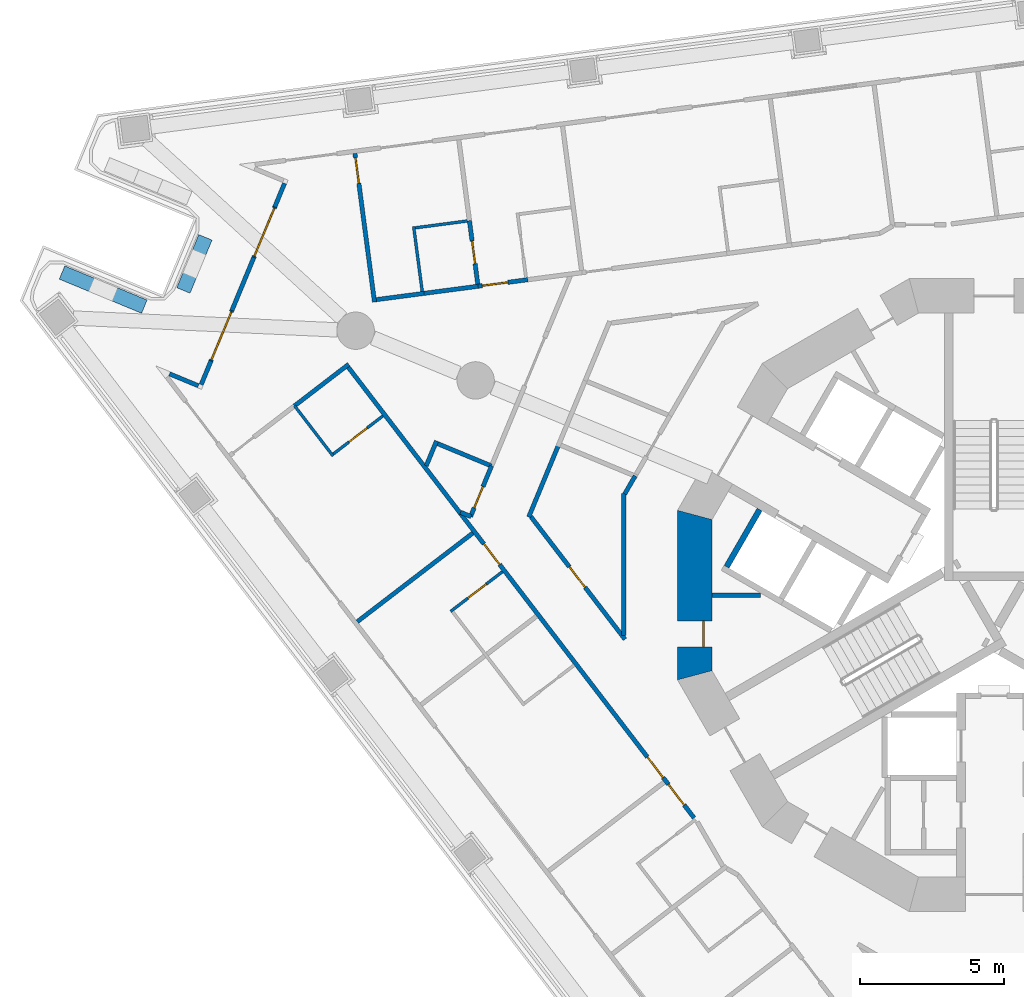
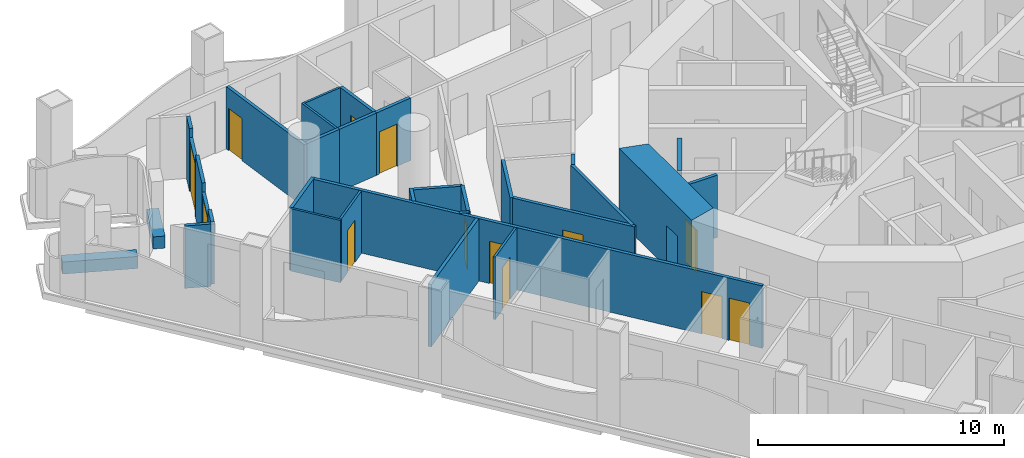
# One storey, part 6 of 19: 32 walls, 13 doors, 13 openings.
"""IFC4 building model written with IfcOpenShell, lengths in metres."""

from ifc_helpers import new_model, si_unit, direction, frame, frame_2d, origin, place, context, subcontext, project, spatial, polyline, rectangle, outline, extrude, material, layer, layer_set, type_object, element, fill, save


model = new_model("IFC4")

# Units and contexts
model_context = context("Model", 3, precision=1e-05, world=origin(), true_north=direction((0.0, 1.0)))
body_context = subcontext(model_context, "Body", "Model", "MODEL_VIEW")
ifc_project = project(units=[si_unit("LENGTHUNIT", "METRE"), si_unit("AREAUNIT", "SQUARE_METRE"), si_unit("VOLUMEUNIT", "CUBIC_METRE"), si_unit("PLANEANGLEUNIT", "RADIAN"), si_unit("MASSUNIT", "GRAM", prefix="KILO")], contexts=[model_context])

# Site, building, storey
site_placement = place(None, origin())
site = spatial("IfcSite", under=ifc_project, at=site_placement, CompositionType="ELEMENT")
building_placement = place(site_placement, origin())
building = spatial("IfcBuilding", under=site, at=building_placement, Name="Trine Commons Tower", CompositionType="ELEMENT")
storey_placement = place(building_placement, frame((0.0, 0.0, 79.199951171875)))
storey = spatial("IfcBuildingStorey", under=building, at=storey_placement, Name="L19", CompositionType="ELEMENT", Elevation=79.199951171875)

# Walls
ifc_material_1 = material(Name="Plasterboard partition on steel studs", Category="steel")
ifc_layer_1 = layer(ifc_material_1, 0.14990234375)
ifc_layer_set_1 = layer_set([ifc_layer_1], Name="Plasterboard partition on steel studs")
wall_type_1 = type_object("IfcWallType", Name="Core room partition 150 mm, EI 60", PredefinedType="PARTITIONING", material=ifc_layer_set_1)
wall_1_placement = place(storey_placement, frame((70.18798828125, 62.5, 0.0), z_axis=(0.0, 0.0, 1.0), x_axis=(1.0, 0.0, 0.0)))
element("IfcWall", 1, at=wall_1_placement, inside=storey, type_object=wall_type_1, Name="Core room partition L19", PredefinedType="PARTITIONING", context=body_context, shape_type="SweptSolid", body=[
    extrude(rectangle(XDim=1.68310546875, YDim=0.14990234375, at=frame_2d((0.841552734375, 0.0))), origin(), (0.0, 0.0, 1.0), 3.10009765625),
])
ifc_material_2 = material(Name="Aluminium-framed insulated wall panel", Category="aluminium")
ifc_layer_2 = layer(ifc_material_2, 0.14990234375)
ifc_layer_set_2 = layer_set([ifc_layer_2], Name="Aluminium-framed insulated wall panel")
wall_type_2 = type_object("IfcWallType", Name="Glazed frame wall 150, EI 60", PredefinedType="SOLIDWALL", material=ifc_layer_set_2)
wall_2_placement = place(storey_placement, frame((51.175537109375, 70.256103515625, 0.0), z_axis=(0.0, 0.0, 1.0), x_axis=(0.923901801611, -0.382629665579, 0.0)))
element("IfcWall", 2, at=wall_2_placement, inside=storey, type_object=wall_type_2, Name="Glazed frame wall R1", PredefinedType="SOLIDWALL", context=body_context, shape_type="SweptSolid", body=[
    extrude(outline(polyline([(0.1494140625, 0.074951171875), (0.1494140625, -0.074951171875), (1.235107421875, -0.074951171875), (1.235107421875, 0.074951171875), (0.1494140625, 0.074951171875)])), origin(), (0.0, 0.0, 1.0), 3.10009765625),
])
wall_3_placement = place(storey_placement, frame((52.372314453125, 69.722412109375, 0.0), z_axis=(0.0, 0.0, 1.0), x_axis=(0.382603377961, 0.923912688068, 0.0)))
element("IfcWall", 3, at=wall_3_placement, inside=storey, type_object=wall_type_2, Name="Glazed frame wall P1.1", PredefinedType="SOLIDWALL", context=body_context, shape_type="SweptSolid", body=[
    extrude(outline(polyline([(0.110107421875, -0.074951171875), (1.0, -0.074951171875), (1.0, 0.074951171875), (0.110107421875, 0.074951171875), (0.110107421875, -0.074951171875)])), origin(), (0.0, 0.0, 1.0), 3.10009765625),
])

# Wall, opening, door
wall_4_placement = place(storey_placement, frame((52.7548828125, 70.646240234375, 0.0), z_axis=(0.0, 0.0, 1.0), x_axis=(0.382771661121, 0.923842982028, 0.0)))
wall_4 = element("IfcWall", 4, at=wall_4_placement, inside=storey, type_object=wall_type_2, Name="Glazed frame wall P1.2", PredefinedType="SOLIDWALL", context=body_context, shape_type="SweptSolid", body=[
    extrude(outline(polyline([(0.0, -0.074951171875), (1.89990234375, -0.074951171875), (1.89990234375, 0.074951171875), (0.0, 0.074951171875), (0.0, -0.074951171875)])), origin(), (0.0, 0.0, 1.0), 2.650146484375),
])
opening_1_placement = place(wall_4_placement, frame((0.050048828125, 0.0, 0.0)))
opening_1 = element("IfcOpeningElement", 5, at=opening_1_placement, cuts=wall_4, Name="Opening BD-2P1-01", PredefinedType="OPENING", context=body_context, shape_type="SweptSolid", body=[
    extrude(rectangle(XDim=1.800048828125, YDim=2.60009765625, at=frame_2d((0.89990234375, 1.300048828125))), frame((0.0, 0.0849609375, 0.0), z_axis=(0.0, -1.0, 0.0), x_axis=(1.0, 0.0, 0.0)), (0.0, 0.0, 1.0), 0.169921875),
])
ifc_material_3 = material(Name="Anodised aluminium frame with double glazing", Category="aluminium")
door_type_1 = type_object("IfcDoorType", Name="Sliding loggia door 1800x2600", OperationType="SLIDING_TO_LEFT", PredefinedType="DOOR", material=ifc_material_3)
door_1_placement = place(opening_1_placement, origin())
door_1 = element("IfcDoor", 6, at=door_1_placement, inside=storey, type_object=door_type_1, Name="Loggia door P1 1", OperationType="SLIDING_TO_LEFT", OverallHeight=2.60009765625, OverallWidth=1.800048828125, PredefinedType="DOOR", context=body_context, shape_type="SweptSolid", body=[
    extrude(rectangle(XDim=1.800048828125, YDim=2.60009765625, at=frame_2d((0.89990234375, 1.300048828125))), frame((0.0, 0.02490234375, 0.0), z_axis=(0.0, -1.0, 0.0), x_axis=(1.0, 0.0, 0.0)), (0.0, 0.0, 1.0), 0.050048828125),
])
fill(opening_1, door_1)

# Wall
wall_5_placement = place(storey_placement, frame((53.482177734375, 72.401611328125, 0.0), z_axis=(0.0, 0.0, 1.0), x_axis=(0.382664423091, 0.923887406181, 0.0)))
element("IfcWall", 7, at=wall_5_placement, inside=storey, type_object=wall_type_2, Name="Glazed frame wall P1.3", PredefinedType="SOLIDWALL", context=body_context, shape_type="SweptSolid", body=[
    extrude(outline(polyline([(0.0, -0.074951171875), (2.0, -0.074951171875), (2.0, 0.074951171875), (0.0, 0.074951171875), (0.0, -0.074951171875)])), origin(), (0.0, 0.0, 1.0), 3.10009765625),
])

# Wall, opening, door
wall_6_placement = place(storey_placement, frame((54.24755859375, 74.24951171875, 0.0), z_axis=(0.0, 0.0, 1.0), x_axis=(0.382661988648, 0.923888414498, 0.0)))
wall_6 = element("IfcWall", 8, at=wall_6_placement, inside=storey, type_object=wall_type_2, Name="Glazed frame wall P1.4", PredefinedType="SOLIDWALL", context=body_context, shape_type="SweptSolid", body=[
    extrude(outline(polyline([(0.0, -0.074951171875), (1.89990234375, -0.074951171875), (1.89990234375, 0.074951171875), (0.0, 0.074951171875), (0.0, -0.074951171875)])), origin(), (0.0, 0.0, 1.0), 2.650146484375),
])
opening_2_placement = place(wall_6_placement, frame((0.050048828125, 0.0, 0.0)))
opening_2 = element("IfcOpeningElement", 9, at=opening_2_placement, cuts=wall_6, Name="Opening BD-2P1-02", PredefinedType="OPENING", context=body_context, shape_type="SweptSolid", body=[
    extrude(rectangle(XDim=1.800048828125, YDim=2.60009765625, at=frame_2d((0.89990234375, 1.300048828125))), frame((0.0, 0.0849609375, 0.0), z_axis=(0.0, -1.0, 0.0), x_axis=(1.0, 0.0, 0.0)), (0.0, 0.0, 1.0), 0.169921875),
])
door_2_placement = place(opening_2_placement, origin())
door_2 = element("IfcDoor", 10, at=door_2_placement, inside=storey, type_object=door_type_1, Name="Loggia door P1 2", OperationType="SLIDING_TO_LEFT", OverallHeight=2.60009765625, OverallWidth=1.800048828125, PredefinedType="DOOR", context=body_context, shape_type="SweptSolid", body=[
    extrude(rectangle(XDim=1.800048828125, YDim=2.60009765625, at=frame_2d((0.89990234375, 1.300048828125))), frame((0.0, 0.02490234375, 0.0), z_axis=(0.0, -1.0, 0.0), x_axis=(1.0, 0.0, 0.0)), (0.0, 0.0, 1.0), 0.050048828125),
])
fill(opening_2, door_2)

# Walls
wall_7_placement = place(storey_placement, frame((54.974609375, 76.0048828125, 0.0), z_axis=(0.0, 0.0, 1.0), x_axis=(0.382811769845, 0.923826362943, 0.0)))
element("IfcWall", 11, at=wall_7_placement, inside=storey, type_object=wall_type_2, Name="Glazed frame wall P1.5", PredefinedType="SOLIDWALL", context=body_context, shape_type="SweptSolid", body=[
    extrude(outline(polyline([(0.889892578125, 0.074951171875), (0.0, 0.074951171875), (0.0, -0.074951171875), (0.889892578125, -0.074951171875), (0.889892578125, 0.074951171875)])), origin(), (0.0, 0.0, 1.0), 3.10009765625),
])
ifc_material_4 = material(Name="Planter trough, precast concrete C40/50", Category="concrete")
ifc_layer_3 = layer(ifc_material_4, 0.5)
ifc_layer_set_3 = layer_set([ifc_layer_3], Name="Planter trough, precast concrete C40/50")
wall_type_3 = type_object("IfcWallType", Name="Planter trough 500x600", PredefinedType="PARAPET", material=ifc_layer_set_3)
wall_8_placement = place(storey_placement, frame((47.5732421875, 73.723388671875, 0.0), z_axis=(0.0, 0.0, 1.0), x_axis=(0.923883411188, -0.382674068277, 0.0)))
element("IfcWall", 12, at=wall_8_placement, inside=storey, type_object=wall_type_3, Name="Planter 1", PredefinedType="PARAPET", context=body_context, shape_type="SweptSolid", body=[
    extrude(rectangle(XDim=3.099853515625, YDim=0.5, at=frame_2d((1.5498046875, 0.0))), origin(), (0.0, 0.0, 1.0), 0.60009765625),
])
wall_9_placement = place(storey_placement, frame((51.796142578125, 73.10009765625, 0.0), z_axis=(0.0, 0.0, 1.0), x_axis=(0.382603377961, 0.923912688068, 0.0)))
element("IfcWall", 13, at=wall_9_placement, inside=storey, type_object=wall_type_3, Name="Planter 2", PredefinedType="PARAPET", context=body_context, shape_type="SweptSolid", body=[
    extrude(rectangle(XDim=1.999755859375, YDim=0.5, at=frame_2d((1.0, 0.0))), origin(), (0.0, 0.0, 1.0), 0.60009765625),
])

# Wall, opening, door
ifc_material_5 = material(Name="Concrete C80/95", Category="concrete")
ifc_layer_4 = layer(ifc_material_5, 1.199951171875)
ifc_layer_set_4 = layer_set([ifc_layer_4], Name="Concrete C80/95")
wall_type_4 = type_object("IfcWallType", Name="RC shear wall 1200 mm, C80/95", PredefinedType="SHEAR", material=ifc_layer_set_4)
wall_10_placement = place(storey_placement, frame((69.58837890625, 65.450439453125, 0.0), z_axis=(0.0, 0.0, 1.0), x_axis=(0.0, -1.0, 0.0)))
wall_10 = element("IfcWall", 14, at=wall_10_placement, inside=storey, type_object=wall_type_4, Name="Core wall CWB-07 L19", PredefinedType="SHEAR", context=body_context, shape_type="SweptSolid", body=[
    extrude(outline(polyline([(0.0, -0.60009765625), (5.90087890625, -0.60009765625), (5.57958984375, 0.60009765625), (0.321533203125, 0.60009765625), (0.0, -0.60009765625)])), origin(), (0.0, 0.0, 1.0), 3.60009765625),
])
opening_3_placement = place(wall_10_placement, frame((3.8505859375, 0.0, 0.0)))
opening_3 = element("IfcOpeningElement", 15, at=opening_3_placement, cuts=wall_10, Name="Opening K06.14", PredefinedType="OPENING", context=body_context, shape_type="SweptSolid", body=[
    extrude(rectangle(XDim=0.89990234375, YDim=2.10009765625, at=frame_2d((0.449951171875, 1.050048828125))), frame((0.0, 0.60986328125, 0.0), z_axis=(0.0, -1.0, 0.0), x_axis=(1.0, 0.0, 0.0)), (0.0, 0.0, 1.0), 1.219970703125),
])
ifc_material_6 = material(Name="Steel door leaf, fire-rated", Category="steel")
door_type_2 = type_object("IfcDoorType", Name="Core room door, single leaf 900 x 2100, FD30S", OperationType="SINGLE_SWING_LEFT", PredefinedType="DOOR", material=ifc_material_6)
door_3_placement = place(opening_3_placement, origin())
door_3 = element("IfcDoor", 16, at=door_3_placement, inside=storey, type_object=door_type_2, Name="Door to Comms room L19", OperationType="SINGLE_SWING_RIGHT", OverallHeight=2.10009765625, OverallWidth=0.89990234375, PredefinedType="DOOR", context=body_context, shape_type="SweptSolid", body=[
    extrude(rectangle(XDim=0.89990234375, YDim=2.10009765625, at=frame_2d((0.449951171875, 1.050048828125))), frame((0.0, 0.3251953125, 0.0), z_axis=(0.0, -1.0, 0.0), x_axis=(1.0, 0.0, 0.0)), (0.0, 0.0, 1.0), 0.050048828125),
])
fill(opening_3, door_3)

# Walls
ifc_material_7 = material(Name="Fire-rated gypsum shaft wall system")
ifc_layer_5 = layer(ifc_material_7, 0.199951171875)
ifc_layer_set_5 = layer_set([ifc_layer_5], Name="Fire-rated gypsum shaft wall system")
wall_type_5 = type_object("IfcWallType", Name="Shaft wall 200 mm, EI 120", PredefinedType="PARTITIONING", material=ifc_layer_set_5)
wall_11_placement = place(storey_placement, frame((71.844970703125, 65.47607421875, 0.0), z_axis=(0.0, 0.0, 1.0), x_axis=(-0.500136062276, -0.86594683394, 0.0)))
element("IfcWall", 17, at=wall_11_placement, inside=storey, type_object=wall_type_5, Name="Shaft wall L19", PredefinedType="PARTITIONING", context=body_context, shape_type="SweptSolid", body=[
    extrude(rectangle(XDim=2.299072265625, YDim=0.199951171875, at=frame_2d((1.1494140625, 0.0))), origin(), (0.0, 0.0, 1.0), 3.10009765625),
])
ifc_material_8 = material(Name="Gypsum plasterboard on steel stud", Category="steel")
ifc_layer_6 = layer(ifc_material_8, 0.14990234375)
ifc_layer_set_6 = layer_set([ifc_layer_6], Name="Gypsum plasterboard on steel stud")
wall_type_6 = type_object("IfcWallType", Name="Unit and corridor wall 150 mm, EI 60", PredefinedType="PARTITIONING", material=ifc_layer_set_6)
wall_12_placement = place(storey_placement, frame((55.660888671875, 69.083984375, 0.0), z_axis=(0.0, 0.0, 1.0), x_axis=(0.793348529131, 0.608767698984, 0.0)))
element("IfcWall", 18, at=wall_12_placement, inside=storey, type_object=wall_type_6, Name="Partition 002", PredefinedType="PARTITIONING", context=body_context, shape_type="SweptSolid", body=[
    extrude(rectangle(XDim=2.378173828125, YDim=0.14990234375, at=frame_2d((1.18896484375, 0.0))), origin(), (0.0, 0.0, 1.0), 3.10009765625),
])

# Wall, openings, doors
wall_13_placement = place(storey_placement, frame((57.53369140625, 70.426513671875, 0.0), z_axis=(0.0, 0.0, 1.0), x_axis=(0.608794371867, -0.793328061261, 0.0)))
wall_13 = element("IfcWall", 19, at=wall_13_placement, inside=storey, type_object=wall_type_6, Name="Partition 005", PredefinedType="PARTITIONING", context=body_context, shape_type="SweptSolid", body=[
    extrude(rectangle(XDim=19.75927734375, YDim=0.14990234375, at=frame_2d((9.879638671875, 0.0))), origin(), (0.0, 0.0, 1.0), 3.10009765625),
])
opening_4_placement = place(wall_13_placement, frame((18.293212890625, 0.0, 0.0)))
opening_4 = element("IfcOpeningElement", 20, at=opening_4_placement, cuts=wall_13, Name="Opening D-2C29", PredefinedType="OPENING", context=body_context, shape_type="SweptSolid", body=[
    extrude(rectangle(XDim=0.89990234375, YDim=2.10009765625, at=frame_2d((0.449951171875, 1.050048828125))), frame((0.0, 0.0849609375, 0.0), z_axis=(0.0, -1.0, 0.0), x_axis=(1.0, 0.0, 0.0)), (0.0, 0.0, 1.0), 0.169921875),
])
opening_5_placement = place(wall_13_placement, frame((17.093017578125, 0.0, 0.0)))
opening_5 = element("IfcOpeningElement", 21, at=opening_5_placement, cuts=wall_13, Name="Opening D-2C30", PredefinedType="OPENING", context=body_context, shape_type="SweptSolid", body=[
    extrude(rectangle(XDim=0.89990234375, YDim=2.10009765625, at=frame_2d((0.449951171875, 1.050048828125))), frame((0.0, 0.0849609375, 0.0), z_axis=(0.0, -1.0, 0.0), x_axis=(1.0, 0.0, 0.0)), (0.0, 0.0, 1.0), 0.169921875),
])
opening_6_placement = place(wall_13_placement, frame((7.747802734375, 0.0, 0.0)))
opening_6 = element("IfcOpeningElement", 22, at=opening_6_placement, cuts=wall_13, Name="Opening D-2C31", PredefinedType="OPENING", context=body_context, shape_type="SweptSolid", body=[
    extrude(rectangle(XDim=0.89990234375, YDim=2.10009765625, at=frame_2d((0.449951171875, 1.050048828125))), frame((0.0, 0.0849609375, 0.0), z_axis=(0.0, -1.0, 0.0), x_axis=(1.0, 0.0, 0.0)), (0.0, 0.0, 1.0), 0.169921875),
])
ifc_material_9 = material(Name="Timber fire door set", Category="wood")
door_type_3 = type_object("IfcDoorType", Name="Bedroom door 900 x 2100, FD30S", OperationType="NOTDEFINED", PredefinedType="DOOR", material=ifc_material_9)
door_4_placement = place(opening_4_placement, frame((0.89990234375, 0.0, 0.0), z_axis=(0.0, 0.0, 1.0), x_axis=(-1.0, 0.0, 0.0)))
door_4 = element("IfcDoor", 23, at=door_4_placement, inside=storey, type_object=door_type_3, Name="Door D-2C29", OperationType="SINGLE_SWING_LEFT", OverallHeight=2.10009765625, OverallWidth=0.89990234375, PredefinedType="DOOR", context=body_context, shape_type="SweptSolid", body=[
    extrude(rectangle(XDim=0.89990234375, YDim=2.10009765625, at=frame_2d((0.449951171875, 1.050048828125))), frame((0.0, 0.02490234375, 0.0), z_axis=(0.0, -1.0, 0.0), x_axis=(1.0, 0.0, 0.0)), (0.0, 0.0, 1.0), 0.050048828125),
])
fill(opening_4, door_4)
door_5_placement = place(opening_5_placement, frame((0.89990234375, 0.0, 0.0), z_axis=(0.0, 0.0, 1.0), x_axis=(-1.0, 0.0, 0.0)))
door_5 = element("IfcDoor", 24, at=door_5_placement, inside=storey, type_object=door_type_3, Name="Door D-2C30", OperationType="SINGLE_SWING_LEFT", OverallHeight=2.10009765625, OverallWidth=0.89990234375, PredefinedType="DOOR", context=body_context, shape_type="SweptSolid", body=[
    extrude(rectangle(XDim=0.89990234375, YDim=2.10009765625, at=frame_2d((0.449951171875, 1.050048828125))), frame((0.0, 0.02490234375, 0.0), z_axis=(0.0, -1.0, 0.0), x_axis=(1.0, 0.0, 0.0)), (0.0, 0.0, 1.0), 0.050048828125),
])
fill(opening_5, door_5)
door_6_placement = place(opening_6_placement, frame((0.89990234375, 0.0, 0.0), z_axis=(0.0, 0.0, 1.0), x_axis=(-1.0, 0.0, 0.0)))
door_6 = element("IfcDoor", 25, at=door_6_placement, inside=storey, type_object=door_type_3, Name="Door D-2C31", OperationType="SINGLE_SWING_RIGHT", OverallHeight=2.10009765625, OverallWidth=0.89990234375, PredefinedType="DOOR", context=body_context, shape_type="SweptSolid", body=[
    extrude(rectangle(XDim=0.89990234375, YDim=2.10009765625, at=frame_2d((0.449951171875, 1.050048828125))), frame((0.0, 0.02490234375, 0.0), z_axis=(0.0, -1.0, 0.0), x_axis=(1.0, 0.0, 0.0)), (0.0, 0.0, 1.0), 0.050048828125),
])
fill(opening_6, door_6)

# Wall, opening, door
wall_14_placement = place(storey_placement, frame((57.76416015625, 77.8662109375, 0.0), z_axis=(0.0, 0.0, 1.0), x_axis=(0.130538083061, -0.991443295842, 0.0)))
wall_14 = element("IfcWall", 26, at=wall_14_placement, inside=storey, type_object=wall_type_6, Name="Partition 006", PredefinedType="PARTITIONING", context=body_context, shape_type="SweptSolid", body=[
    extrude(rectangle(XDim=5.21435546875, YDim=0.14990234375, at=frame_2d((2.607177734375, 0.0))), origin(), (0.0, 0.0, 1.0), 3.10009765625),
])
opening_7_placement = place(wall_14_placement, frame((0.14990234375, 0.0, 0.0)))
opening_7 = element("IfcOpeningElement", 27, at=opening_7_placement, cuts=wall_14, Name="Opening D-2C07", PredefinedType="OPENING", context=body_context, shape_type="SweptSolid", body=[
    extrude(rectangle(XDim=0.89990234375, YDim=2.10009765625, at=frame_2d((0.449951171875, 1.050048828125))), frame((0.0, 0.0849609375, 0.0), z_axis=(0.0, -1.0, 0.0), x_axis=(1.0, 0.0, 0.0)), (0.0, 0.0, 1.0), 0.169921875),
])
door_7_placement = place(opening_7_placement, origin())
door_7 = element("IfcDoor", 28, at=door_7_placement, inside=storey, type_object=door_type_3, Name="Door D-2C07", OperationType="SINGLE_SWING_LEFT", OverallHeight=2.10009765625, OverallWidth=0.89990234375, PredefinedType="DOOR", context=body_context, shape_type="SweptSolid", body=[
    extrude(rectangle(XDim=0.89990234375, YDim=2.10009765625, at=frame_2d((0.449951171875, 1.050048828125))), frame((0.0, 0.02490234375, 0.0), z_axis=(0.0, -1.0, 0.0), x_axis=(1.0, 0.0, 0.0)), (0.0, 0.0, 1.0), 0.050048828125),
])
fill(opening_7, door_7)

# Walls
wall_15_placement = place(storey_placement, frame((57.84765625, 61.576416015625, 0.0), z_axis=(0.0, 0.0, 1.0), x_axis=(0.793374300247, 0.608734112488, 0.0)))
element("IfcWall", 29, at=wall_15_placement, inside=storey, type_object=wall_type_6, Name="Partition 007", PredefinedType="PARTITIONING", context=body_context, shape_type="SweptSolid", body=[
    extrude(rectangle(XDim=5.064208984375, YDim=0.14990234375, at=frame_2d((2.5322265625, 0.0))), origin(), (0.0, 0.0, 1.0), 3.10009765625),
])
wall_16_placement = place(storey_placement, frame((58.509521484375, 72.78076171875, 0.0), z_axis=(0.0, 0.0, 1.0), x_axis=(0.99149595725, 0.13013749174, 0.0)))
element("IfcWall", 30, at=wall_16_placement, inside=storey, type_object=wall_type_6, Name="Partition 008", PredefinedType="PARTITIONING", context=body_context, shape_type="SweptSolid", body=[
    extrude(rectangle(XDim=1.67333984375, YDim=0.14990234375, at=frame_2d((0.836669921875, 0.0))), origin(), (0.0, 0.0, 1.0), 3.10009765625),
])
wall_17_placement = place(storey_placement, frame((60.111083984375, 72.990966796875, 0.0), z_axis=(0.0, 0.0, 1.0), x_axis=(0.991437274098, 0.130583810365, 0.0)))
element("IfcWall", 31, at=wall_17_placement, inside=storey, type_object=wall_type_6, Name="Partition 012", PredefinedType="PARTITIONING", context=body_context, shape_type="SweptSolid", body=[
    extrude(rectangle(XDim=1.953857421875, YDim=0.14990234375, at=frame_2d((0.97705078125, 0.0))), origin(), (0.0, 0.0, 1.0), 3.10009765625),
])
wall_18_placement = place(storey_placement, frame((60.24560546875, 67.000244140625, 0.0), z_axis=(0.0, 0.0, 1.0), x_axis=(0.383080061035, 0.923715143774, 0.0)))
element("IfcWall", 32, at=wall_18_placement, inside=storey, type_object=wall_type_6, Name="Partition 013", PredefinedType="PARTITIONING", context=body_context, shape_type="SweptSolid", body=[
    extrude(rectangle(XDim=0.9375, YDim=0.14990234375, at=frame_2d((0.46875, 0.0))), origin(), (0.0, 0.0, 1.0), 3.10009765625),
])
wall_19_placement = place(storey_placement, frame((60.645263671875, 67.768310546875, 0.0), z_axis=(0.0, 0.0, 1.0), x_axis=(0.923799320148, -0.382877024767, 0.0)))
element("IfcWall", 33, at=wall_19_placement, inside=storey, type_object=wall_type_6, Name="Partition 014", PredefinedType="PARTITIONING", context=body_context, shape_type="SweptSolid", body=[
    extrude(rectangle(XDim=2.025146484375, YDim=0.14990234375, at=frame_2d((1.0126953125, 0.0))), origin(), (0.0, 0.0, 1.0), 3.10009765625),
])
wall_20_placement = place(storey_placement, frame((61.43896484375, 65.38330078125, 0.0), z_axis=(0.0, 0.0, 1.0), x_axis=(0.923599819829, -0.383358021714, 0.0)))
element("IfcWall", 34, at=wall_20_placement, inside=storey, type_object=wall_type_6, Name="Partition 018", PredefinedType="PARTITIONING", context=body_context, shape_type="SweptSolid", body=[
    extrude(rectangle(XDim=0.39990234375, YDim=0.14990234375, at=frame_2d((0.199951171875, 0.0))), origin(), (0.0, 0.0, 1.0), 3.10009765625),
])

# Wall, opening, door
wall_21_placement = place(storey_placement, frame((61.748046875, 75.527099609375, 0.0), z_axis=(0.0, 0.0, 1.0), x_axis=(0.130309803154, -0.991473325512, 0.0)))
wall_21 = element("IfcWall", 35, at=wall_21_placement, inside=storey, type_object=wall_type_6, Name="Partition 019", PredefinedType="PARTITIONING", context=body_context, shape_type="SweptSolid", body=[
    extrude(rectangle(XDim=2.225830078125, YDim=0.14990234375, at=frame_2d((1.11279296875, 0.0))), origin(), (0.0, 0.0, 1.0), 3.10009765625),
])
opening_8_placement = place(wall_21_placement, frame((0.712890625, 0.0, 0.0)))
opening_8 = element("IfcOpeningElement", 36, at=opening_8_placement, cuts=wall_21, Name="Opening D-2C42", PredefinedType="OPENING", context=body_context, shape_type="SweptSolid", body=[
    extrude(rectangle(XDim=0.800048828125, YDim=2.10009765625, at=frame_2d((0.39990234375, 1.050048828125))), frame((0.0, 0.0849609375, 0.0), z_axis=(0.0, -1.0, 0.0), x_axis=(1.0, 0.0, 0.0)), (0.0, 0.0, 1.0), 0.169921875),
])
ifc_material_10 = material(Name="Painted timber", Category="wood")
door_type_4 = type_object("IfcDoorType", Name="Internal door 800 x 2100, NOT RATED", OperationType="NOTDEFINED", PredefinedType="DOOR", material=ifc_material_10)
door_8_placement = place(opening_8_placement, origin())
door_8 = element("IfcDoor", 37, at=door_8_placement, inside=storey, type_object=door_type_4, Name="Door D-2C42", OperationType="SINGLE_SWING_LEFT", OverallHeight=2.10009765625, OverallWidth=0.800048828125, PredefinedType="DOOR", context=body_context, shape_type="SweptSolid", body=[
    extrude(rectangle(XDim=0.800048828125, YDim=2.10009765625, at=frame_2d((0.39990234375, 1.050048828125))), frame((0.0, 0.02490234375, 0.0), z_axis=(0.0, -1.0, 0.0), x_axis=(1.0, 0.0, 0.0)), (0.0, 0.0, 1.0), 0.050048828125),
])
fill(opening_8, door_8)

wall_22_placement = place(storey_placement, frame((61.787109375, 65.23388671875, 0.0), z_axis=(0.0, 0.0, 1.0), x_axis=(0.38314285934, 0.923689097769, 0.0)))
wall_22 = element("IfcWall", 38, at=wall_22_placement, inside=storey, type_object=wall_type_6, Name="Partition 020", PredefinedType="PARTITIONING", context=body_context, shape_type="SweptSolid", body=[
    extrude(rectangle(XDim=1.90771484375, YDim=0.14990234375, at=frame_2d((0.953857421875, 0.0))), origin(), (0.0, 0.0, 1.0), 3.10009765625),
])
opening_9_placement = place(wall_22_placement, frame((0.328125, 0.0, 0.0)))
opening_9 = element("IfcOpeningElement", 39, at=opening_9_placement, cuts=wall_22, Name="Opening D-2C06", PredefinedType="OPENING", context=body_context, shape_type="SweptSolid", body=[
    extrude(rectangle(XDim=0.800048828125, YDim=2.10009765625, at=frame_2d((0.39990234375, 1.050048828125))), frame((0.0, 0.0849609375, 0.0), z_axis=(0.0, -1.0, 0.0), x_axis=(1.0, 0.0, 0.0)), (0.0, 0.0, 1.0), 0.169921875),
])
door_type_5 = type_object("IfcDoorType", Name="Toilet door 800 x 2100, NOT RATED", OperationType="NOTDEFINED", PredefinedType="DOOR", material=ifc_material_10)
door_9_placement = place(opening_9_placement, origin())
door_9 = element("IfcDoor", 40, at=door_9_placement, inside=storey, type_object=door_type_5, Name="Door D-2C06", OperationType="SINGLE_SWING_LEFT", OverallHeight=2.10009765625, OverallWidth=0.800048828125, PredefinedType="DOOR", context=body_context, shape_type="SweptSolid", body=[
    extrude(rectangle(XDim=0.800048828125, YDim=2.10009765625, at=frame_2d((0.39990234375, 1.050048828125))), frame((0.0, 0.02490234375, 0.0), z_axis=(0.0, -1.0, 0.0), x_axis=(1.0, 0.0, 0.0)), (0.0, 0.0, 1.0), 0.050048828125),
])
fill(opening_9, door_9)

wall_23_placement = place(storey_placement, frame((62.048095703125, 73.24609375, 0.0), z_axis=(0.0, 0.0, 1.0), x_axis=(0.991412396829, 0.130772548398, 0.0)))
wall_23 = element("IfcWall", 41, at=wall_23_placement, inside=storey, type_object=wall_type_6, Name="Partition 021", PredefinedType="PARTITIONING", context=body_context, shape_type="SweptSolid", body=[
    extrude(rectangle(XDim=1.747314453125, YDim=0.14990234375, at=frame_2d((0.87353515625, 0.0))), origin(), (0.0, 0.0, 1.0), 3.10009765625),
])
opening_10_placement = place(wall_23_placement, frame((0.14990234375, 0.0, 0.0)))
opening_10 = element("IfcOpeningElement", 42, at=opening_10_placement, cuts=wall_23, Name="Opening D-2C08", PredefinedType="OPENING", context=body_context, shape_type="SweptSolid", body=[
    extrude(rectangle(XDim=0.89990234375, YDim=2.10009765625, at=frame_2d((0.449951171875, 1.050048828125))), frame((0.0, 0.0849609375, 0.0), z_axis=(0.0, -1.0, 0.0), x_axis=(1.0, 0.0, 0.0)), (0.0, 0.0, 1.0), 0.169921875),
])
door_10_placement = place(opening_10_placement, origin())
door_10 = element("IfcDoor", 43, at=door_10_placement, inside=storey, type_object=door_type_3, Name="Door D-2C08", OperationType="SINGLE_SWING_LEFT", OverallHeight=2.10009765625, OverallWidth=0.89990234375, PredefinedType="DOOR", context=body_context, shape_type="SweptSolid", body=[
    extrude(rectangle(XDim=0.89990234375, YDim=2.10009765625, at=frame_2d((0.449951171875, 1.050048828125))), frame((0.0, 0.02490234375, 0.0), z_axis=(0.0, -1.0, 0.0), x_axis=(1.0, 0.0, 0.0)), (0.0, 0.0, 1.0), 0.050048828125),
])
fill(opening_10, door_10)

# Wall
wall_24_placement = place(storey_placement, frame((63.811279296875, 65.2197265625, 0.0), z_axis=(0.0, 0.0, 1.0), x_axis=(0.382485754441, 0.923961388614, 0.0)))
element("IfcWall", 44, at=wall_24_placement, inside=storey, type_object=wall_type_6, Name="Partition 027", PredefinedType="PARTITIONING", context=body_context, shape_type="SweptSolid", body=[
    extrude(rectangle(XDim=2.736328125, YDim=0.14990234375, at=frame_2d((1.3681640625, 0.0))), origin(), (0.0, 0.0, 1.0), 3.10009765625),
])

# Wall, opening, door
wall_25_placement = place(storey_placement, frame((63.8857421875, 65.2294921875, 0.0), z_axis=(0.0, 0.0, 1.0), x_axis=(0.608696503356, -0.793403155276, 0.0)))
wall_25 = element("IfcWall", 45, at=wall_25_placement, inside=storey, type_object=wall_type_6, Name="Partition 028", PredefinedType="PARTITIONING", context=body_context, shape_type="SweptSolid", body=[
    extrude(rectangle(XDim=5.376953125, YDim=0.14990234375, at=frame_2d((2.6884765625, 0.0))), origin(), (0.0, 0.0, 1.0), 3.10009765625),
])
opening_11_placement = place(wall_25_placement, frame((2.200927734375, 0.0, 0.0)))
opening_11 = element("IfcOpeningElement", 46, at=opening_11_placement, cuts=wall_25, Name="Opening D-2C33", PredefinedType="OPENING", context=body_context, shape_type="SweptSolid", body=[
    extrude(rectangle(XDim=0.89990234375, YDim=2.10009765625, at=frame_2d((0.449951171875, 1.050048828125))), frame((0.0, 0.0849609375, 0.0), z_axis=(0.0, -1.0, 0.0), x_axis=(1.0, 0.0, 0.0)), (0.0, 0.0, 1.0), 0.169921875),
])
door_type_6 = type_object("IfcDoorType", Name="Service door 900 x 2100, FD30S", OperationType="NOTDEFINED", PredefinedType="DOOR", material=ifc_material_9)
door_11_placement = place(opening_11_placement, origin())
door_11 = element("IfcDoor", 47, at=door_11_placement, inside=storey, type_object=door_type_6, Name="Door D-2C33", OperationType="SINGLE_SWING_LEFT", OverallHeight=2.10009765625, OverallWidth=0.89990234375, PredefinedType="DOOR", context=body_context, shape_type="SweptSolid", body=[
    extrude(rectangle(XDim=0.89990234375, YDim=2.10009765625, at=frame_2d((0.449951171875, 1.050048828125))), frame((0.0, 0.02490234375, 0.0), z_axis=(0.0, -1.0, 0.0), x_axis=(1.0, 0.0, 0.0)), (0.0, 0.0, 1.0), 0.050048828125),
])
fill(opening_11, door_11)

# Walls
wall_26_placement = place(storey_placement, frame((67.113037109375, 61.093994140625, 0.0), z_axis=(0.0, 0.0, 1.0), x_axis=(0.0, 1.0, 0.0)))
element("IfcWall", 48, at=wall_26_placement, inside=storey, type_object=wall_type_6, Name="Partition 039", PredefinedType="PARTITIONING", context=body_context, shape_type="SweptSolid", body=[
    extrude(rectangle(XDim=4.93408203125, YDim=0.14990234375, at=frame_2d((2.467041015625, 0.0))), origin(), (0.0, 0.0, 1.0), 3.10009765625),
])
wall_27_placement = place(storey_placement, frame((67.150390625, 66.01806640625, 0.0), z_axis=(0.0, 0.0, 1.0), x_axis=(0.499858068882, 0.866107332248, 0.0)))
element("IfcWall", 49, at=wall_27_placement, inside=storey, type_object=wall_type_6, Name="Partition 040", PredefinedType="PARTITIONING", context=body_context, shape_type="SweptSolid", body=[
    extrude(rectangle(XDim=0.727294921875, YDim=0.14990234375, at=frame_2d((0.36376953125, 0.0))), origin(), (0.0, 0.0, 1.0), 3.10009765625),
])
ifc_layer_7 = layer(ifc_material_8, 0.10009765625)
ifc_layer_set_7 = layer_set([ifc_layer_7], Name="Gypsum plasterboard on steel stud")
wall_type_7 = type_object("IfcWallType", Name="Unit partition 100 mm, no rating", PredefinedType="PARTITIONING", material=ifc_layer_set_7)
wall_28_placement = place(storey_placement, frame((55.6640625, 69.0859375, 0.0), z_axis=(0.0, 0.0, 1.0), x_axis=(0.608734333178, -0.793374130919, 0.0)))
element("IfcWall", 50, at=wall_28_placement, inside=storey, type_object=wall_type_7, Name="Partition 003", PredefinedType="PARTITIONING", context=body_context, shape_type="SweptSolid", body=[
    extrude(rectangle(XDim=2.2001953125, YDim=0.10009765625, at=frame_2d((1.10009765625, 0.0))), origin(), (0.0, 0.0, 1.0), 3.10009765625),
])

# Wall, opening, door
wall_29_placement = place(storey_placement, frame((57.0126953125, 67.410400390625, 0.0), z_axis=(0.0, 0.0, 1.0), x_axis=(0.793036915689, 0.609173579823, 0.0)))
wall_29 = element("IfcWall", 51, at=wall_29_placement, inside=storey, type_object=wall_type_7, Name="Partition 004", PredefinedType="PARTITIONING", context=body_context, shape_type="SweptSolid", body=[
    extrude(rectangle(XDim=2.175048828125, YDim=0.10009765625, at=frame_2d((1.08740234375, 0.0))), origin(), (0.0, 0.0, 1.0), 3.10009765625),
])
opening_12_placement = place(wall_29_placement, frame((0.6875, 0.0, 0.0)))
opening_12 = element("IfcOpeningElement", 52, at=opening_12_placement, cuts=wall_29, Name="Opening D-2C64", PredefinedType="OPENING", context=body_context, shape_type="SweptSolid", body=[
    extrude(rectangle(XDim=0.800048828125, YDim=2.10009765625, at=frame_2d((0.39990234375, 1.050048828125))), frame((0.0, 0.06005859375, 0.0), z_axis=(0.0, -1.0, 0.0), x_axis=(1.0, 0.0, 0.0)), (0.0, 0.0, 1.0), 0.1201171875),
])
door_12_placement = place(opening_12_placement, frame((0.800048828125, 0.0, 0.0), z_axis=(0.0, 0.0, 1.0), x_axis=(-1.0, 0.0, 0.0)))
door_12 = element("IfcDoor", 53, at=door_12_placement, inside=storey, type_object=door_type_4, Name="Door D-2C64", OperationType="SINGLE_SWING_LEFT", OverallHeight=2.10009765625, OverallWidth=0.800048828125, PredefinedType="DOOR", context=body_context, shape_type="SweptSolid", body=[
    extrude(rectangle(XDim=0.800048828125, YDim=2.10009765625, at=frame_2d((0.39990234375, 1.050048828125))), frame((0.0, 0.02490234375, 0.0), z_axis=(0.0, -1.0, 0.0), x_axis=(1.0, 0.0, 0.0)), (0.0, 0.0, 1.0), 0.050048828125),
])
fill(opening_12, door_12)

# Walls
wall_30_placement = place(storey_placement, frame((59.8076171875, 75.321533203125, 0.0), z_axis=(0.0, 0.0, 1.0), x_axis=(0.13083486939, -0.991404174367, 0.0)))
element("IfcWall", 54, at=wall_30_placement, inside=storey, type_object=wall_type_7, Name="Partition 009", PredefinedType="PARTITIONING", context=body_context, shape_type="SweptSolid", body=[
    extrude(rectangle(XDim=2.274658203125, YDim=0.10009765625, at=frame_2d((1.13720703125, 0.0))), origin(), (0.0, 0.0, 1.0), 3.10009765625),
])
wall_31_placement = place(storey_placement, frame((59.863525390625, 75.278564453125, 0.0), z_axis=(0.0, 0.0, 1.0), x_axis=(0.991428788066, 0.130648223083, 0.0)))
element("IfcWall", 55, at=wall_31_placement, inside=storey, type_object=wall_type_7, Name="Partition 010", PredefinedType="PARTITIONING", context=body_context, shape_type="SweptSolid", body=[
    extrude(rectangle(XDim=1.82568359375, YDim=0.10009765625, at=frame_2d((0.912841796875, 0.0))), origin(), (0.0, 0.0, 1.0), 3.10009765625),
])

# Wall, opening, door
wall_32_placement = place(storey_placement, frame((61.09130859375, 61.9306640625, 0.0), z_axis=(0.0, 0.0, 1.0), x_axis=(0.793437070432, 0.608652294224, 0.0)))
wall_32 = element("IfcWall", 56, at=wall_32_placement, inside=storey, type_object=wall_type_7, Name="Partition 015", PredefinedType="PARTITIONING", context=body_context, shape_type="SweptSolid", body=[
    extrude(rectangle(XDim=2.275146484375, YDim=0.10009765625, at=frame_2d((1.1376953125, 0.0))), origin(), (0.0, 0.0, 1.0), 3.10009765625),
])
opening_13_placement = place(wall_32_placement, frame((0.762451171875, 0.0, 0.0)))
opening_13 = element("IfcOpeningElement", 57, at=opening_13_placement, cuts=wall_32, Name="Opening D-2C63", PredefinedType="OPENING", context=body_context, shape_type="SweptSolid", body=[
    extrude(rectangle(XDim=0.800048828125, YDim=2.10009765625, at=frame_2d((0.39990234375, 1.050048828125))), frame((0.0, 0.06005859375, 0.0), z_axis=(0.0, -1.0, 0.0), x_axis=(1.0, 0.0, 0.0)), (0.0, 0.0, 1.0), 0.1201171875),
])
door_13_placement = place(opening_13_placement, origin())
door_13 = element("IfcDoor", 58, at=door_13_placement, inside=storey, type_object=door_type_4, Name="Door D-2C63", OperationType="SINGLE_SWING_RIGHT", OverallHeight=2.10009765625, OverallWidth=0.800048828125, PredefinedType="DOOR", context=body_context, shape_type="SweptSolid", body=[
    extrude(rectangle(XDim=0.800048828125, YDim=2.10009765625, at=frame_2d((0.39990234375, 1.050048828125))), frame((0.0, 0.02490234375, 0.0), z_axis=(0.0, -1.0, 0.0), x_axis=(1.0, 0.0, 0.0)), (0.0, 0.0, 1.0), 0.050048828125),
])
fill(opening_13, door_13)

save(model, "model.ifc")
